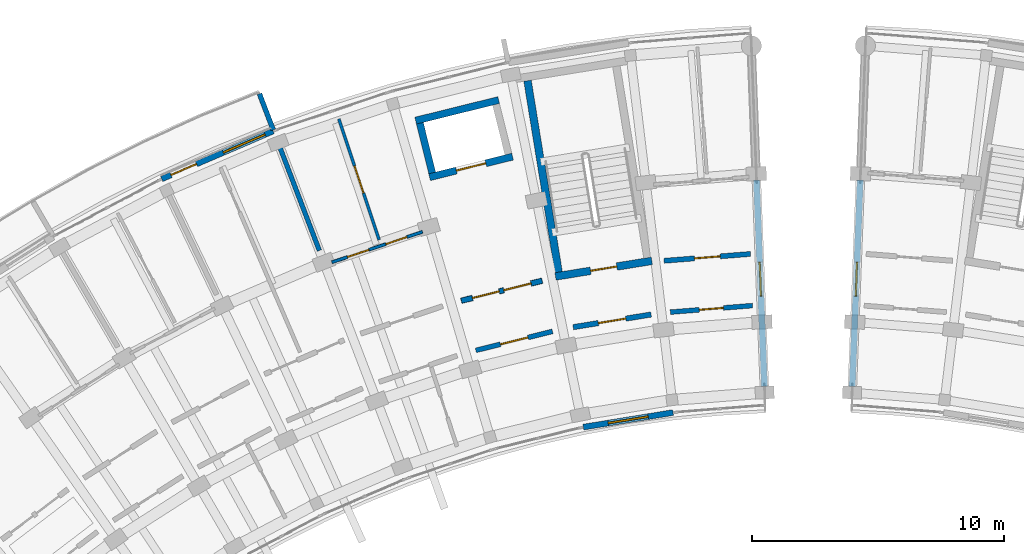
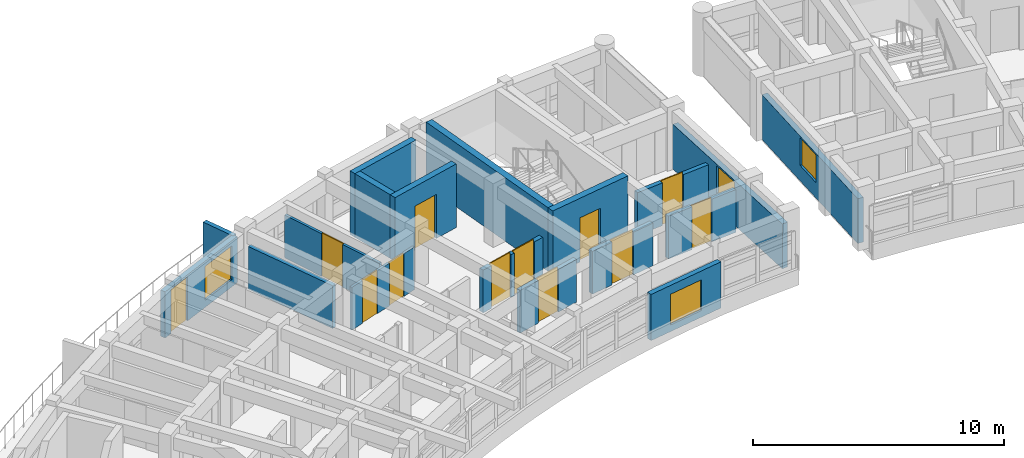
# One storey, part 29 of 54: 18 walls, 12 doors, 4 windows, 16 openings.
"""IFC4 building model written with IfcOpenShell, lengths in metres."""

from ifc_helpers import new_model, si_unit, direction, frame, frame_2d, origin, place, context, subcontext, project, spatial, rectangle, extrude, material, layer, layer_set, type_object, element, fill, save


model = new_model("IFC4")

# Units and contexts
model_context = context("Model", 3, precision=1e-05, world=origin(), true_north=direction((0.0, 1.0)))
body_context = subcontext(model_context, "Body", "Model", "MODEL_VIEW")
ifc_project = project(units=[si_unit("LENGTHUNIT", "METRE"), si_unit("AREAUNIT", "SQUARE_METRE"), si_unit("VOLUMEUNIT", "CUBIC_METRE"), si_unit("PLANEANGLEUNIT", "RADIAN"), si_unit("MASSUNIT", "GRAM", prefix="KILO")], contexts=[model_context])

# Site, building, storey
site_placement = place(None, origin())
site = spatial("IfcSite", under=ifc_project, at=site_placement, CompositionType="ELEMENT")
building_placement = place(site_placement, origin())
building = spatial("IfcBuilding", under=site, at=building_placement, Name="Zimvara Arc Housing Community", CompositionType="ELEMENT")
storey_placement = place(building_placement, frame((0.0, 0.0, 20.5)))
storey = spatial("IfcBuildingStorey", under=building, at=storey_placement, Name="L06", CompositionType="ELEMENT", Elevation=20.5)

# Wall, openings, door, window
ifc_material_1 = material(Name="Board-Marked Fair-Faced Concrete C35/45", Category="concrete")
ifc_layer_1 = layer(ifc_material_1, 0.22998046875)
ifc_layer_set_1 = layer_set([ifc_layer_1], Name="Board-Marked Fair-Faced Concrete C35/45")
wall_type_1 = type_object("IfcWallType", Name="EWL-CONC-230", PredefinedType="SOLIDWALL", material=ifc_layer_set_1)
wall_1_placement = place(storey_placement, frame((19.361083984375, 98.05859375, 0.0), z_axis=(0.0, 0.0, 1.0), x_axis=(0.918711189033, 0.394930058548, 0.0)))
wall_1 = element("IfcWall", 1, at=wall_1_placement, inside=storey, type_object=wall_type_1, Name="ewall:blkA:L06:out:b5", PredefinedType="SOLIDWALL", context=body_context, shape_type="SweptSolid", body=[
    extrude(rectangle(XDim=4.808837890625, YDim=0.22998046875, at=frame_2d((2.404296875, 0.0))), origin(), (0.0, 0.0, 1.0), 2.25),
])
opening_1_placement = place(wall_1_placement, frame((0.39990234375, 0.0, 0.0)))
opening_1 = element("IfcOpeningElement", 2, at=opening_1_placement, cuts=wall_1, Name="Opening ED06", PredefinedType="OPENING", context=body_context, shape_type="SweptSolid", body=[
    extrude(rectangle(XDim=1.10009765625, YDim=2.14990234375, at=frame_2d((0.550048828125, 1.074951171875))), frame((0.0, 0.125, 0.0), z_axis=(0.0, -1.0, 0.0), x_axis=(1.0, 0.0, 0.0)), (0.0, 0.0, 1.0), 0.25),
])
opening_2_placement = place(wall_1_placement, frame((2.658935546875, 0.0, 0.35009765625)))
opening_2 = element("IfcOpeningElement", 3, at=opening_2_placement, cuts=wall_1, Name="Opening W08", PredefinedType="OPENING", context=body_context, shape_type="SweptSolid", body=[
    extrude(rectangle(XDim=1.800048828125, YDim=1.64990234375, at=frame_2d((0.89990234375, 0.824951171875))), frame((0.0, 0.125, 0.0), z_axis=(0.0, -1.0, 0.0), x_axis=(1.0, 0.0, 0.0)), (0.0, 0.0, 1.0), 0.25),
])
ifc_material_2 = material(Name="Anodised Aluminium AW-6063", Category="aluminium")
door_type_1 = type_object("IfcDoorType", Name="EDR-TERR-1100x2150", OperationType="NOTDEFINED", PredefinedType="DOOR", material=ifc_material_2)
door_1_placement = place(opening_1_placement, origin())
door_1 = element("IfcDoor", 4, at=door_1_placement, inside=storey, type_object=door_type_1, Name="edoor:blkA:L06:bal_out:b5", OperationType="SINGLE_SWING_LEFT", OverallHeight=2.14990234375, OverallWidth=1.10009765625, PredefinedType="DOOR", context=body_context, shape_type="SweptSolid", body=[
    extrude(rectangle(XDim=1.10009765625, YDim=2.14990234375, at=frame_2d((0.550048828125, 1.074951171875))), frame((0.0, 0.02490234375, 0.0), z_axis=(0.0, -1.0, 0.0), x_axis=(1.0, 0.0, 0.0)), (0.0, 0.0, 1.0), 0.050048828125),
])
fill(opening_1, door_1)
ifc_material_3 = material(Name="Solar Control Low-E Double Glazing", Category="glass")
window_type_1 = type_object("IfcWindowType", Name="WIN-RES-1800x1650", PartitioningType="TRIPLE_PANEL_VERTICAL", PredefinedType="WINDOW", material=ifc_material_3)
window_1_placement = place(opening_2_placement, origin())
window_1 = element("IfcWindow", 5, at=window_1_placement, inside=storey, type_object=window_type_1, Name="win:blkA:L06:out:b5:balw", OverallHeight=1.64990234375, OverallWidth=1.800048828125, PartitioningType="TRIPLE_PANEL_VERTICAL", PredefinedType="WINDOW", context=body_context, shape_type="SweptSolid", body=[
    extrude(rectangle(XDim=1.800048828125, YDim=1.64990234375, at=frame_2d((0.89990234375, 0.824951171875))), frame((0.0, 0.030029296875, 0.0), z_axis=(0.0, -1.0, 0.0), x_axis=(1.0, 0.0, 0.0)), (0.0, 0.0, 1.0), 0.06005859375),
])
fill(opening_2, window_1)

# Wall, opening, window
wall_2_placement = place(storey_placement, frame((36.078125, 88.218017578125, 0.0), z_axis=(0.0, 0.0, 1.0), x_axis=(0.987080874485, 0.160222804952, 0.0)))
wall_2 = element("IfcWall", 6, at=wall_2_placement, inside=storey, type_object=wall_type_1, Name="ewall:blkA:L06:in:b8", PredefinedType="SOLIDWALL", context=body_context, shape_type="SweptSolid", body=[
    extrude(rectangle(XDim=3.603759765625, YDim=0.22998046875, at=frame_2d((1.8017578125, 0.0))), origin(), (0.0, 0.0, 1.0), 2.25),
])
opening_3_placement = place(wall_2_placement, frame((1.001708984375, 0.0, 0.320068359375)))
opening_3 = element("IfcOpeningElement", 7, at=opening_3_placement, cuts=wall_2, Name="Opening W03", PredefinedType="OPENING", context=body_context, shape_type="SweptSolid", body=[
    extrude(rectangle(XDim=1.60009765625, YDim=1.5, at=frame_2d((0.800048828125, 0.75))), frame((0.0, 0.125, 0.0), z_axis=(0.0, -1.0, 0.0), x_axis=(1.0, 0.0, 0.0)), (0.0, 0.0, 1.0), 0.25),
])
ifc_material_4 = material(Name="Solar Control Low-E Double Glazing", Category="glass")
window_type_2 = type_object("IfcWindowType", Name="WIN-RES-1600x1500", PartitioningType="DOUBLE_PANEL_VERTICAL", PredefinedType="WINDOW", material=ifc_material_4)
window_2_placement = place(opening_3_placement, origin())
window_2 = element("IfcWindow", 8, at=window_2_placement, inside=storey, type_object=window_type_2, Name="win:blkA:L06:in:b8", OverallHeight=1.5, OverallWidth=1.60009765625, PartitioningType="DOUBLE_PANEL_VERTICAL", PredefinedType="WINDOW", context=body_context, shape_type="SweptSolid", body=[
    extrude(rectangle(XDim=1.60009765625, YDim=1.5, at=frame_2d((0.800048828125, 0.75))), frame((0.0, 0.030029296875, 0.0), z_axis=(0.0, -1.0, 0.0), x_axis=(1.0, 0.0, 0.0)), (0.0, 0.0, 1.0), 0.06005859375),
])
fill(opening_3, window_2)

ifc_material_5 = material(Name="Board-Marked Fair-Faced Concrete C35/45", Category="concrete")
ifc_layer_2 = layer(ifc_material_5, 0.2548828125)
ifc_layer_set_2 = layer_set([ifc_layer_2], Name="Board-Marked Fair-Faced Concrete C35/45")
wall_type_2 = type_object("IfcWallType", Name="EWL-CONC-255", PredefinedType="SOLIDWALL", material=ifc_layer_set_2)
wall_3_placement = place(storey_placement, frame((43.2587890625, 89.82666015625, 0.0), z_axis=(0.0, 0.0, 1.0), x_axis=(-0.038407966241, 0.999262141847, 0.0)))
wall_3 = element("IfcWall", 9, at=wall_3_placement, inside=storey, type_object=wall_type_2, Name="ewall:blkA:L06:gN", PredefinedType="SOLIDWALL", context=body_context, shape_type="SweptSolid", body=[
    extrude(rectangle(XDim=8.199951171875, YDim=0.2548828125, at=frame_2d((4.10009765625, 0.0))), origin(), (0.0, 0.0, 1.0), 2.179931640625),
])
opening_4_placement = place(wall_3_placement, frame((3.590087890625, 0.0, 0.75)))
opening_4 = element("IfcOpeningElement", 10, at=opening_4_placement, cuts=wall_3, Name="Opening W12", PredefinedType="OPENING", context=body_context, shape_type="SweptSolid", body=[
    extrude(rectangle(XDim=1.35009765625, YDim=1.35009765625, at=frame_2d((0.675048828125, 0.675048828125))), frame((0.0, 0.137451171875, 0.0), z_axis=(0.0, -1.0, 0.0), x_axis=(1.0, 0.0, 0.0)), (0.0, 0.0, 1.0), 0.27490234375),
])
ifc_material_6 = material(Name="Solar Control Low-E Double Glazing", Category="glass")
window_type_3 = type_object("IfcWindowType", Name="WIN-RES-1350x1350", PartitioningType="DOUBLE_PANEL_VERTICAL", PredefinedType="WINDOW", material=ifc_material_6)
window_3_placement = place(opening_4_placement, origin())
window_3 = element("IfcWindow", 11, at=window_3_placement, inside=storey, type_object=window_type_3, Name="win:blkA:L06:gN:w", OverallHeight=1.35009765625, OverallWidth=1.35009765625, PartitioningType="DOUBLE_PANEL_VERTICAL", PredefinedType="WINDOW", context=body_context, shape_type="SweptSolid", body=[
    extrude(rectangle(XDim=1.35009765625, YDim=1.35009765625, at=frame_2d((0.675048828125, 0.675048828125))), frame((0.0, 0.030029296875, 0.0), z_axis=(0.0, -1.0, 0.0), x_axis=(1.0, 0.0, 0.0)), (0.0, 0.0, 1.0), 0.06005859375),
])
fill(opening_4, window_3)

wall_4_placement = place(storey_placement, frame((46.7412109375, 89.82666015625, 0.0), z_axis=(0.0, 0.0, 1.0), x_axis=(0.038407966241, 0.999262141847, 0.0)))
wall_4 = element("IfcWall", 12, at=wall_4_placement, inside=storey, type_object=wall_type_2, Name="ewall:blkB:L06:g0", PredefinedType="SOLIDWALL", context=body_context, shape_type="SweptSolid", body=[
    extrude(rectangle(XDim=8.199951171875, YDim=0.2548828125, at=frame_2d((4.10009765625, 0.0))), origin(), (0.0, 0.0, 1.0), 2.179931640625),
])
opening_5_placement = place(wall_4_placement, frame((3.590087890625, 0.0, 0.75)))
opening_5 = element("IfcOpeningElement", 13, at=opening_5_placement, cuts=wall_4, Name="Opening W12", PredefinedType="OPENING", context=body_context, shape_type="SweptSolid", body=[
    extrude(rectangle(XDim=1.35009765625, YDim=1.35009765625, at=frame_2d((0.675048828125, 0.675048828125))), frame((0.0, 0.137451171875, 0.0), z_axis=(0.0, -1.0, 0.0), x_axis=(1.0, 0.0, 0.0)), (0.0, 0.0, 1.0), 0.27490234375),
])
window_4_placement = place(opening_5_placement, origin())
window_4 = element("IfcWindow", 14, at=window_4_placement, inside=storey, type_object=window_type_3, Name="win:blkB:L06:g0:w", OverallHeight=1.35009765625, OverallWidth=1.35009765625, PartitioningType="DOUBLE_PANEL_VERTICAL", PredefinedType="WINDOW", context=body_context, shape_type="SweptSolid", body=[
    extrude(rectangle(XDim=1.35009765625, YDim=1.35009765625, at=frame_2d((0.675048828125, 0.675048828125))), frame((0.0, 0.030029296875, 0.0), z_axis=(0.0, -1.0, 0.0), x_axis=(1.0, 0.0, 0.0)), (0.0, 0.0, 1.0), 0.06005859375),
])
fill(opening_5, window_4)

# Wall
ifc_material_7 = material(Name="Board-Marked Fair-Faced Concrete C35/45", Category="concrete")
ifc_layer_3 = layer(ifc_material_7, 0.195068359375)
ifc_layer_set_3 = layer_set([ifc_layer_3], Name="Board-Marked Fair-Faced Concrete C35/45")
wall_type_3 = type_object("IfcWallType", Name="EWL-PARA-195", PredefinedType="PARAPET", material=ifc_layer_set_3)
wall_5_placement = place(storey_placement, frame((23.783203125, 100.0029296875, 0.0), z_axis=(0.0, 0.0, 1.0), x_axis=(-0.356957296461, 0.934120703391, 0.0)))
element("IfcWall", 15, at=wall_5_placement, inside=storey, type_object=wall_type_3, Name="finwall:blkA:L06:out:b6", PredefinedType="PARAPET", context=body_context, shape_type="SweptSolid", body=[
    extrude(rectangle(XDim=1.530029296875, YDim=0.195068359375, at=frame_2d((0.76513671875, 0.0))), origin(), (0.0, 0.0, 1.0), 2.25),
])

# Wall, openings, doors
ifc_material_8 = material(Name="Concrete C35/45", Category="concrete")
ifc_layer_4 = layer(ifc_material_8, 0.2099609375)
ifc_layer_set_4 = layer_set([ifc_layer_4], Name="Concrete C35/45")
wall_type_4 = type_object("IfcWallType", Name="IWL-CCF-210", PredefinedType="SOLIDWALL", material=ifc_layer_set_4)
wall_6_placement = place(storey_placement, frame((31.242919921875, 93.22998046875, 0.0), z_axis=(0.0, 0.0, 1.0), x_axis=(0.970719238682, 0.240216901263, 0.0)))
wall_6 = element("IfcWall", 16, at=wall_6_placement, inside=storey, type_object=wall_type_4, Name="iwall:blkA:L06:ll_div:b7", PredefinedType="SOLIDWALL", context=body_context, shape_type="SweptSolid", body=[
    extrude(rectangle(XDim=3.2958984375, YDim=0.2099609375, at=frame_2d((1.64794921875, 0.0))), origin(), (0.0, 0.0, 1.0), 2.080078125),
])
opening_6_placement = place(wall_6_placement, frame((0.449951171875, 0.0, 0.0)))
opening_6 = element("IfcOpeningElement", 17, at=opening_6_placement, cuts=wall_6, Name="Opening FD-CCF1", PredefinedType="OPENING", context=body_context, shape_type="SweptSolid", body=[
    extrude(rectangle(XDim=1.10009765625, YDim=2.14990234375, at=frame_2d((0.550048828125, 1.074951171875))), frame((0.0, 0.114990234375, 0.0), z_axis=(0.0, -1.0, 0.0), x_axis=(1.0, 0.0, 0.0)), (0.0, 0.0, 1.0), 0.22998046875),
])
opening_7_placement = place(wall_6_placement, frame((1.72607421875, 0.0, 0.0)))
opening_7 = element("IfcOpeningElement", 18, at=opening_7_placement, cuts=wall_6, Name="Opening D07", PredefinedType="OPENING", context=body_context, shape_type="SweptSolid", body=[
    extrude(rectangle(XDim=1.1201171875, YDim=2.14990234375, at=frame_2d((0.56005859375, 1.074951171875))), frame((0.0, 0.114990234375, 0.0), z_axis=(0.0, -1.0, 0.0), x_axis=(1.0, 0.0, 0.0)), (0.0, 0.0, 1.0), 0.22998046875),
])
ifc_material_9 = material(Name="Mozambican Hardwood", Category="wood")
door_type_2 = type_object("IfcDoorType", Name="IDR-AMN-1120x2150", OperationType="NOTDEFINED", PredefinedType="DOOR", material=ifc_material_9)
door_2_placement = place(opening_7_placement, origin())
door_2 = element("IfcDoor", 19, at=door_2_placement, inside=storey, type_object=door_type_2, Name="idoor:blkA:L06:rs_in:b7", OperationType="SINGLE_SWING_RIGHT", OverallHeight=2.14990234375, OverallWidth=1.1201171875, PredefinedType="DOOR", context=body_context, shape_type="SweptSolid", body=[
    extrude(rectangle(XDim=1.1201171875, YDim=2.14990234375, at=frame_2d((0.56005859375, 1.074951171875))), frame((0.0, 0.02490234375, 0.0), z_axis=(0.0, -1.0, 0.0), x_axis=(1.0, 0.0, 0.0)), (0.0, 0.0, 1.0), 0.050048828125),
])
fill(opening_7, door_2)
ifc_material_10 = material(Name="Anodised Aluminium AW-6063", Category="aluminium")
door_type_3 = type_object("IfcDoorType", Name="IDR-CCF-1100x2150", OperationType="NOTDEFINED", PredefinedType="DOOR", material=ifc_material_10)
door_3_placement = place(opening_6_placement, origin())
door_3 = element("IfcDoor", 20, at=door_3_placement, inside=storey, type_object=door_type_3, Name="idoor:blkA:L06:ll_in:b7", OperationType="SINGLE_SWING_LEFT", OverallHeight=2.14990234375, OverallWidth=1.10009765625, PredefinedType="DOOR", context=body_context, shape_type="SweptSolid", body=[
    extrude(rectangle(XDim=1.10009765625, YDim=2.14990234375, at=frame_2d((0.550048828125, 1.074951171875))), frame((0.0, 0.02490234375, 0.0), z_axis=(0.0, -1.0, 0.0), x_axis=(1.0, 0.0, 0.0)), (0.0, 0.0, 1.0), 0.050048828125),
])
fill(opening_6, door_3)

# Wall, opening, door
wall_7_placement = place(storey_placement, frame((35.675537109375, 92.181396484375, 0.0), z_axis=(0.0, 0.0, 1.0), x_axis=(0.98707079686, 0.160284877599, 0.0)))
wall_7 = element("IfcWall", 21, at=wall_7_placement, inside=storey, type_object=wall_type_4, Name="iwall:blkA:L06:ccf_div:b8", PredefinedType="SOLIDWALL", context=body_context, shape_type="SweptSolid", body=[
    extrude(rectangle(XDim=3.128662109375, YDim=0.2099609375, at=frame_2d((1.564453125, 0.0))), origin(), (0.0, 0.0, 1.0), 2.080078125),
])
opening_8_placement = place(wall_7_placement, frame((1.014404296875, 0.0, 0.0)))
opening_8 = element("IfcOpeningElement", 22, at=opening_8_placement, cuts=wall_7, Name="Opening FD-CCF1", PredefinedType="OPENING", context=body_context, shape_type="SweptSolid", body=[
    extrude(rectangle(XDim=1.10009765625, YDim=2.14990234375, at=frame_2d((0.550048828125, 1.074951171875))), frame((0.0, 0.114990234375, 0.0), z_axis=(0.0, -1.0, 0.0), x_axis=(1.0, 0.0, 0.0)), (0.0, 0.0, 1.0), 0.22998046875),
])
door_4_placement = place(opening_8_placement, origin())
door_4 = element("IfcDoor", 23, at=door_4_placement, inside=storey, type_object=door_type_3, Name="idoor:blkA:L06:ccf_in:b8", OperationType="SINGLE_SWING_RIGHT", OverallHeight=2.14990234375, OverallWidth=1.10009765625, PredefinedType="DOOR", context=body_context, shape_type="SweptSolid", body=[
    extrude(rectangle(XDim=1.10009765625, YDim=2.14990234375, at=frame_2d((0.550048828125, 1.074951171875))), frame((0.0, 0.02490234375, 0.0), z_axis=(0.0, -1.0, 0.0), x_axis=(1.0, 0.0, 0.0)), (0.0, 0.0, 1.0), 0.050048828125),
])
fill(opening_8, door_4)

ifc_material_11 = material(Name="Concrete C35/45", Category="concrete")
ifc_layer_5 = layer(ifc_material_11, 0.18994140625)
ifc_layer_set_5 = layer_set([ifc_layer_5], Name="Concrete C35/45")
wall_type_5 = type_object("IfcWallType", Name="IWL-CORR-190", PredefinedType="SOLIDWALL", material=ifc_layer_set_5)
wall_8_placement = place(storey_placement, frame((31.816162109375, 91.26171875, 0.0), z_axis=(0.0, 0.0, 1.0), x_axis=(0.970727194092, 0.240184751078, 0.0)))
wall_8 = element("IfcWall", 24, at=wall_8_placement, inside=storey, type_object=wall_type_5, Name="iwall:blkA:L06:ra_div:b7", PredefinedType="SOLIDWALL", context=body_context, shape_type="SweptSolid", body=[
    extrude(rectangle(XDim=3.128662109375, YDim=0.18994140625, at=frame_2d((1.564453125, 0.0))), origin(), (0.0, 0.0, 1.0), 2.080078125),
])
opening_9_placement = place(wall_8_placement, frame((1.00439453125, 0.0, 0.0)))
opening_9 = element("IfcOpeningElement", 25, at=opening_9_placement, cuts=wall_8, Name="Opening D07", PredefinedType="OPENING", context=body_context, shape_type="SweptSolid", body=[
    extrude(rectangle(XDim=1.1201171875, YDim=2.14990234375, at=frame_2d((0.56005859375, 1.074951171875))), frame((0.0, 0.10498046875, 0.0), z_axis=(0.0, -1.0, 0.0), x_axis=(1.0, 0.0, 0.0)), (0.0, 0.0, 1.0), 0.2099609375),
])
door_5_placement = place(opening_9_placement, origin())
door_5 = element("IfcDoor", 26, at=door_5_placement, inside=storey, type_object=door_type_2, Name="idoor:blkA:L06:ra_d:b7", OperationType="SINGLE_SWING_LEFT", OverallHeight=2.14990234375, OverallWidth=1.1201171875, PredefinedType="DOOR", context=body_context, shape_type="SweptSolid", body=[
    extrude(rectangle(XDim=1.1201171875, YDim=2.14990234375, at=frame_2d((0.56005859375, 1.074951171875))), frame((0.0, 0.02490234375, 0.0), z_axis=(0.0, -1.0, 0.0), x_axis=(1.0, 0.0, 0.0)), (0.0, 0.0, 1.0), 0.050048828125),
])
fill(opening_9, door_5)

wall_9_placement = place(storey_placement, frame((39.527099609375, 92.77783203125, 0.0), z_axis=(0.0, 0.0, 1.0), x_axis=(0.99686660806, 0.07910098441, 0.0)))
wall_9 = element("IfcWall", 27, at=wall_9_placement, inside=storey, type_object=wall_type_5, Name="iwall:blkA:L06:corr_in:b9", PredefinedType="SOLIDWALL", context=body_context, shape_type="SweptSolid", body=[
    extrude(rectangle(XDim=3.2685546875, YDim=0.18994140625, at=frame_2d((1.63427734375, 0.0))), origin(), (0.0, 0.0, 1.0), 2.080078125),
])
opening_10_placement = place(wall_9_placement, frame((1.154296875, 0.0, 0.0)))
opening_10 = element("IfcOpeningElement", 28, at=opening_10_placement, cuts=wall_9, Name="Opening D04", PredefinedType="OPENING", context=body_context, shape_type="SweptSolid", body=[
    extrude(rectangle(XDim=0.9599609375, YDim=2.10009765625, at=frame_2d((0.47998046875, 1.050048828125))), frame((0.0, 0.10498046875, 0.0), z_axis=(0.0, -1.0, 0.0), x_axis=(1.0, 0.0, 0.0)), (0.0, 0.0, 1.0), 0.2099609375),
])
ifc_material_12 = material(Name="Mozambican Hardwood", Category="wood")
door_type_4 = type_object("IfcDoorType", Name="IDR-RM-0960x2100", OperationType="NOTDEFINED", PredefinedType="DOOR", material=ifc_material_12)
door_6_placement = place(opening_10_placement, origin())
door_6 = element("IfcDoor", 29, at=door_6_placement, inside=storey, type_object=door_type_4, Name="idoor:blkA:L06:in_rm:b9", OperationType="SINGLE_SWING_RIGHT", OverallHeight=2.10009765625, OverallWidth=0.9599609375, PredefinedType="DOOR", context=body_context, shape_type="SweptSolid", body=[
    extrude(rectangle(XDim=0.9599609375, YDim=2.10009765625, at=frame_2d((0.47998046875, 1.050048828125))), frame((0.0, 0.02490234375, 0.0), z_axis=(0.0, -1.0, 0.0), x_axis=(1.0, 0.0, 0.0)), (0.0, 0.0, 1.0), 0.050048828125),
])
fill(opening_10, door_6)

ifc_material_13 = material(Name="Concrete C35/45", Category="concrete")
ifc_layer_6 = layer(ifc_material_13, 0.199951171875)
ifc_layer_set_6 = layer_set([ifc_layer_6], Name="Concrete C35/45")
wall_type_6 = type_object("IfcWallType", Name="IWL-CORR-200", PredefinedType="SOLIDWALL", material=ifc_layer_set_6)
wall_10_placement = place(storey_placement, frame((39.281494140625, 94.81298828125, 0.0), z_axis=(0.0, 0.0, 1.0), x_axis=(0.996862545573, 0.079152165058, 0.0)))
wall_10 = element("IfcWall", 30, at=wall_10_placement, inside=storey, type_object=wall_type_6, Name="iwall:blkA:L06:corr_out:b9", PredefinedType="SOLIDWALL", context=body_context, shape_type="SweptSolid", body=[
    extrude(rectangle(XDim=3.43603515625, YDim=0.199951171875, at=frame_2d((1.718017578125, 0.0))), origin(), (0.0, 0.0, 1.0), 2.080078125),
])
opening_11_placement = place(wall_10_placement, frame((1.2080078125, 0.0, 0.0)))
opening_11 = element("IfcOpeningElement", 31, at=opening_11_placement, cuts=wall_10, Name="Opening FD-FL2", PredefinedType="OPENING", context=body_context, shape_type="SweptSolid", body=[
    extrude(rectangle(XDim=1.02001953125, YDim=2.14990234375, at=frame_2d((0.510009765625, 1.074951171875))), frame((0.0, 0.10986328125, 0.0), z_axis=(0.0, -1.0, 0.0), x_axis=(1.0, 0.0, 0.0)), (0.0, 0.0, 1.0), 0.219970703125),
])
ifc_material_14 = material(Name="Mozambican Hardwood", Category="wood")
door_type_5 = type_object("IfcDoorType", Name="IDR-FLAT-1020x2150", OperationType="NOTDEFINED", PredefinedType="DOOR", material=ifc_material_14)
door_7_placement = place(opening_11_placement, origin())
door_7 = element("IfcDoor", 32, at=door_7_placement, inside=storey, type_object=door_type_5, Name="idoor:blkA:L06:flat:b9", OperationType="SINGLE_SWING_LEFT", OverallHeight=2.14990234375, OverallWidth=1.02001953125, PredefinedType="DOOR", context=body_context, shape_type="SweptSolid", body=[
    extrude(rectangle(XDim=1.02001953125, YDim=2.14990234375, at=frame_2d((0.510009765625, 1.074951171875))), frame((0.0, 0.02490234375, 0.0), z_axis=(0.0, -1.0, 0.0), x_axis=(1.0, 0.0, 0.0)), (0.0, 0.0, 1.0), 0.050048828125),
])
fill(opening_11, door_7)

# Wall
ifc_material_15 = material(Name="Concrete C35/45", Category="concrete")
ifc_layer_7 = layer(ifc_material_15, 0.18505859375)
ifc_layer_set_7 = layer_set([ifc_layer_7], Name="Concrete C35/45")
wall_type_7 = type_object("IfcWallType", Name="IWL-FLAT-185", PredefinedType="SOLIDWALL", material=ifc_layer_set_7)
wall_11_placement = place(storey_placement, frame((25.611328125, 95.220458984375, 0.0), z_axis=(0.0, 0.0, 1.0), x_axis=(-0.357064016205, 0.934079915388, 0.0)))
element("IfcWall", 33, at=wall_11_placement, inside=storey, type_object=wall_type_7, Name="iwall:blkA:L06:party:b6", PredefinedType="SOLIDWALL", context=body_context, shape_type="SweptSolid", body=[
    extrude(rectangle(XDim=4.35009765625, YDim=0.18505859375, at=frame_2d((2.175048828125, 0.0))), origin(), (0.0, 0.0, 1.0), 2.080078125),
])

# Wall, openings, doors
ifc_material_16 = material(Name="Painted Acoustic Plasterboard")
ifc_layer_8 = layer(ifc_material_16, 0.114990234375)
ifc_layer_set_8 = layer_set([ifc_layer_8], Name="Painted Acoustic Plasterboard")
wall_type_8 = type_object("IfcWallType", Name="IWL-PART-115", PredefinedType="PARTITIONING", material=ifc_layer_set_8)
wall_12_placement = place(storey_placement, frame((26.110107421875, 94.755615234375, 0.0), z_axis=(0.0, 0.0, 1.0), x_axis=(0.947873924847, 0.318645606584, 0.0)))
wall_12 = element("IfcWall", 34, at=wall_12_placement, inside=storey, type_object=wall_type_8, Name="iwall:blkA:L06:srv:b6", PredefinedType="PARTITIONING", context=body_context, shape_type="SweptSolid", body=[
    extrude(rectangle(XDim=3.784912109375, YDim=0.114990234375, at=frame_2d((1.892578125, 0.0))), origin(), (0.0, 0.0, 1.0), 2.080078125),
])
opening_12_placement = place(wall_12_placement, frame((0.64990234375, 0.0, 0.0)))
opening_12 = element("IfcOpeningElement", 35, at=opening_12_placement, cuts=wall_12, Name="Opening D01", PredefinedType="OPENING", context=body_context, shape_type="SweptSolid", body=[
    extrude(rectangle(XDim=0.89990234375, YDim=2.10009765625, at=frame_2d((0.449951171875, 1.050048828125))), frame((0.0, 0.0673828125, 0.0), z_axis=(0.0, -1.0, 0.0), x_axis=(1.0, 0.0, 0.0)), (0.0, 0.0, 1.0), 0.135009765625),
])
opening_13_placement = place(wall_12_placement, frame((2.255126953125, 0.0, 0.0)))
opening_13 = element("IfcOpeningElement", 36, at=opening_13_placement, cuts=wall_12, Name="Opening D05", PredefinedType="OPENING", context=body_context, shape_type="SweptSolid", body=[
    extrude(rectangle(XDim=0.8798828125, YDim=2.10009765625, at=frame_2d((0.43994140625, 1.050048828125))), frame((0.0, 0.0673828125, 0.0), z_axis=(0.0, -1.0, 0.0), x_axis=(1.0, 0.0, 0.0)), (0.0, 0.0, 1.0), 0.135009765625),
])
ifc_material_17 = material(Name="Mozambican Hardwood", Category="wood")
door_type_6 = type_object("IfcDoorType", Name="IDR-RM-0900x2100", OperationType="NOTDEFINED", PredefinedType="DOOR", material=ifc_material_17)
door_8_placement = place(opening_12_placement, origin())
door_8 = element("IfcDoor", 37, at=door_8_placement, inside=storey, type_object=door_type_6, Name="idoor:blkA:L06:kit_liv:b6", OperationType="SINGLE_SWING_RIGHT", OverallHeight=2.10009765625, OverallWidth=0.89990234375, PredefinedType="DOOR", context=body_context, shape_type="SweptSolid", body=[
    extrude(rectangle(XDim=0.89990234375, YDim=2.10009765625, at=frame_2d((0.449951171875, 1.050048828125))), frame((0.0, 0.02490234375, 0.0), z_axis=(0.0, -1.0, 0.0), x_axis=(1.0, 0.0, 0.0)), (0.0, 0.0, 1.0), 0.050048828125),
])
fill(opening_12, door_8)
ifc_material_18 = material(Name="Mozambican Hardwood", Category="wood")
door_type_7 = type_object("IfcDoorType", Name="IDR-WC-0880x2100", OperationType="NOTDEFINED", PredefinedType="DOOR", material=ifc_material_18)
door_9_placement = place(opening_13_placement, origin())
door_9 = element("IfcDoor", 38, at=door_9_placement, inside=storey, type_object=door_type_7, Name="idoor:blkA:L06:bath_d:b6", OperationType="SINGLE_SWING_LEFT", OverallHeight=2.10009765625, OverallWidth=0.8798828125, PredefinedType="DOOR", context=body_context, shape_type="SweptSolid", body=[
    extrude(rectangle(XDim=0.8798828125, YDim=2.10009765625, at=frame_2d((0.43994140625, 1.050048828125))), frame((0.0, 0.02490234375, 0.0), z_axis=(0.0, -1.0, 0.0), x_axis=(1.0, 0.0, 0.0)), (0.0, 0.0, 1.0), 0.050048828125),
])
fill(opening_13, door_9)

# Wall, opening, door
ifc_material_19 = material(Name="Painted Acoustic Plasterboard")
ifc_layer_9 = layer(ifc_material_19, 0.1201171875)
ifc_layer_set_9 = layer_set([ifc_layer_9], Name="Painted Acoustic Plasterboard")
wall_type_9 = type_object("IfcWallType", Name="IWL-PART-120", PredefinedType="PARTITIONING", material=ifc_layer_set_9)
wall_13_placement = place(storey_placement, frame((27.97998046875, 95.642333984375, 0.0), z_axis=(0.0, 0.0, 1.0), x_axis=(-0.315749098291, 0.948842719806, 0.0)))
wall_13 = element("IfcWall", 39, at=wall_13_placement, inside=storey, type_object=wall_type_9, Name="iwall:blkA:L06:bed_div:b6", PredefinedType="PARTITIONING", context=body_context, shape_type="SweptSolid", body=[
    extrude(rectangle(XDim=5.0498046875, YDim=0.1201171875, at=frame_2d((2.52490234375, 0.0))), origin(), (0.0, 0.0, 1.0), 2.080078125),
])
opening_14_placement = place(wall_13_placement, frame((1.9599609375, 0.0, 0.0)))
opening_14 = element("IfcOpeningElement", 40, at=opening_14_placement, cuts=wall_13, Name="Opening D17", PredefinedType="OPENING", context=body_context, shape_type="SweptSolid", body=[
    extrude(rectangle(XDim=1.1298828125, YDim=2.10009765625, at=frame_2d((0.56494140625, 1.050048828125))), frame((0.0, 0.070068359375, 0.0), z_axis=(0.0, -1.0, 0.0), x_axis=(1.0, 0.0, 0.0)), (0.0, 0.0, 1.0), 0.14013671875),
])
ifc_material_20 = material(Name="Mozambican Hardwood", Category="wood")
door_type_8 = type_object("IfcDoorType", Name="IDR-MOD-1130x2240", OperationType="NOTDEFINED", PredefinedType="DOOR", material=ifc_material_20)
door_10_placement = place(opening_14_placement, origin())
door_10 = element("IfcDoor", 41, at=door_10_placement, inside=storey, type_object=door_type_8, Name="idoor:blkA:L06:bed_d:b6", OperationType="SINGLE_SWING_RIGHT", OverallHeight=2.10009765625, OverallWidth=1.1298828125, PredefinedType="DOOR", context=body_context, shape_type="SweptSolid", body=[
    extrude(rectangle(XDim=1.1298828125, YDim=2.10009765625, at=frame_2d((0.56494140625, 1.050048828125))), frame((0.0, 0.02490234375, 0.0), z_axis=(0.0, -1.0, 0.0), x_axis=(1.0, 0.0, 0.0)), (0.0, 0.0, 1.0), 0.050048828125),
])
fill(opening_14, door_10)

ifc_material_21 = material(Name="Concrete C40/50", Category="concrete")
ifc_layer_10 = layer(ifc_material_21, 0.280029296875)
ifc_layer_set_10 = layer_set([ifc_layer_10], Name="Concrete C40/50")
wall_type_10 = type_object("IfcWallType", Name="WL-CORE-280", PredefinedType="SHEAR", material=ifc_layer_set_10)
wall_14_placement = place(storey_placement, frame((33.27294921875, 98.942138671875, 0.0), z_axis=(0.0, 0.0, 1.0), x_axis=(-0.970707542441, -0.240264160972, 0.0)))
wall_14 = element("IfcWall", 42, at=wall_14_placement, inside=storey, type_object=wall_type_10, Name="lwall:LF-A2:L06:front", PredefinedType="SHEAR", context=body_context, shape_type="SweptSolid", body=[
    extrude(rectangle(XDim=3.389892578125, YDim=0.280029296875, at=frame_2d((1.69482421875, 0.0))), origin(), (0.0, 0.0, 1.0), 3.10009765625),
])
opening_15_placement = place(wall_14_placement, frame((1.094970703125, 0.0, 0.0)))
opening_15 = element("IfcOpeningElement", 43, at=opening_15_placement, cuts=wall_14, Name="Opening LD-LF-A2", PredefinedType="OPENING", context=body_context, shape_type="SweptSolid", body=[
    extrude(rectangle(XDim=1.199951171875, YDim=2.14990234375, at=frame_2d((0.60009765625, 1.074951171875))), frame((0.0, 0.14990234375, 0.0), z_axis=(0.0, -1.0, 0.0), x_axis=(1.0, 0.0, 0.0)), (0.0, 0.0, 1.0), 0.300048828125),
])
ifc_material_22 = material(Name="Anodised Aluminium AW-6063", Category="aluminium")
door_type_9 = type_object("IfcDoorType", Name="IDR-LD-1200x2150", OperationType="DOUBLE_DOOR_SLIDING", PredefinedType="DOOR", material=ifc_material_22)
door_11_placement = place(opening_15_placement, origin())
door_11 = element("IfcDoor", 44, at=door_11_placement, inside=storey, type_object=door_type_9, Name="Lift LF-A2 Sliding Landing Door L06", OperationType="DOUBLE_DOOR_SLIDING", OverallHeight=2.14990234375, OverallWidth=1.199951171875, PredefinedType="DOOR", context=body_context, shape_type="SweptSolid", body=[
    extrude(rectangle(XDim=1.199951171875, YDim=2.14990234375, at=frame_2d((0.60009765625, 1.074951171875))), frame((0.0, 0.02490234375, 0.0), z_axis=(0.0, -1.0, 0.0), x_axis=(1.0, 0.0, 0.0)), (0.0, 0.0, 1.0), 0.050048828125),
])
fill(opening_15, door_11)

# Walls
wall_15_placement = place(storey_placement, frame((32.71826171875, 101.1845703125, 0.0), z_axis=(0.0, 0.0, 1.0), x_axis=(-0.970711699588, -0.240247364777, 0.0)))
element("IfcWall", 45, at=wall_15_placement, inside=storey, type_object=wall_type_10, Name="lwall:LF-A2:L06:back", PredefinedType="SHEAR", context=body_context, shape_type="SweptSolid", body=[
    extrude(rectangle(XDim=3.39013671875, YDim=0.280029296875, at=frame_2d((1.695068359375, 0.0))), origin(), (0.0, 0.0, 1.0), 3.10009765625),
])
wall_16_placement = place(storey_placement, frame((30.084716796875, 98.29736328125, 0.0), z_axis=(0.0, 0.0, 1.0), x_axis=(-0.2402993748, 0.970698825832, 0.0)))
element("IfcWall", 46, at=wall_16_placement, inside=storey, type_object=wall_type_10, Name="lwall:LF-A2:L06:right", PredefinedType="SHEAR", context=body_context, shape_type="SweptSolid", body=[
    extrude(rectangle(XDim=2.030029296875, YDim=0.280029296875, at=frame_2d((1.01513671875, 0.0))), origin(), (0.0, 0.0, 1.0), 3.10009765625),
])

# Wall, opening, door
ifc_material_23 = material(Name="Concrete C40/50", Category="concrete")
ifc_layer_11 = layer(ifc_material_23, 0.300048828125)
ifc_layer_set_11 = layer_set([ifc_layer_11], Name="Concrete C40/50")
wall_type_11 = type_object("IfcWallType", Name="WL-CORE-300", PredefinedType="SHEAR", material=ifc_layer_set_11)
wall_17_placement = place(storey_placement, frame((38.793701171875, 94.810546875, 0.0), z_axis=(0.0, 0.0, 1.0), x_axis=(-0.987077443397, -0.160243941341, 0.0)))
wall_17 = element("IfcWall", 47, at=wall_17_placement, inside=storey, type_object=wall_type_11, Name="cwall:ST-A2:L06:near", PredefinedType="SHEAR", context=body_context, shape_type="SweptSolid", body=[
    extrude(rectangle(XDim=3.869873046875, YDim=0.300048828125, at=frame_2d((1.93505859375, 0.0))), origin(), (0.0, 0.0, 1.0), 3.10009765625),
])
opening_16_placement = place(wall_17_placement, frame((1.409912109375, 0.0, 0.0)))
opening_16 = element("IfcOpeningElement", 48, at=opening_16_placement, cuts=wall_17, Name="Opening FD-ST2", PredefinedType="OPENING", context=body_context, shape_type="SweptSolid", body=[
    extrude(rectangle(XDim=1.050048828125, YDim=2.14990234375, at=frame_2d((0.52490234375, 1.074951171875))), frame((0.0, 0.159912109375, 0.0), z_axis=(0.0, -1.0, 0.0), x_axis=(1.0, 0.0, 0.0)), (0.0, 0.0, 1.0), 0.320068359375),
])
ifc_material_24 = material(Name="Anodised Aluminium AW-6063", Category="aluminium")
door_type_10 = type_object("IfcDoorType", Name="IDR-ST-1050x2150", OperationType="NOTDEFINED", PredefinedType="DOOR", material=ifc_material_24)
door_12_placement = place(opening_16_placement, origin())
door_12 = element("IfcDoor", 49, at=door_12_placement, inside=storey, type_object=door_type_10, Name="idoor:ST-A2:L06:entry", OperationType="SINGLE_SWING_RIGHT", OverallHeight=2.14990234375, OverallWidth=1.050048828125, PredefinedType="DOOR", context=body_context, shape_type="SweptSolid", body=[
    extrude(rectangle(XDim=1.050048828125, YDim=2.14990234375, at=frame_2d((0.52490234375, 1.074951171875))), frame((0.0, 0.02490234375, 0.0), z_axis=(0.0, -1.0, 0.0), x_axis=(1.0, 0.0, 0.0)), (0.0, 0.0, 1.0), 0.050048828125),
])
fill(opening_16, door_12)

# Wall
wall_18_placement = place(storey_placement, frame((35.097900390625, 94.362548828125, 0.0), z_axis=(0.0, 0.0, 1.0), x_axis=(-0.160227496777, 0.987080112897, 0.0)))
element("IfcWall", 50, at=wall_18_placement, inside=storey, type_object=wall_type_11, Name="cwall:ST-A2:L06:right", PredefinedType="SHEAR", context=body_context, shape_type="SweptSolid", body=[
    extrude(rectangle(XDim=7.690185546875, YDim=0.300048828125, at=frame_2d((3.84521484375, 0.0))), origin(), (0.0, 0.0, 1.0), 3.10009765625),
])

save(model, "model.ifc")
